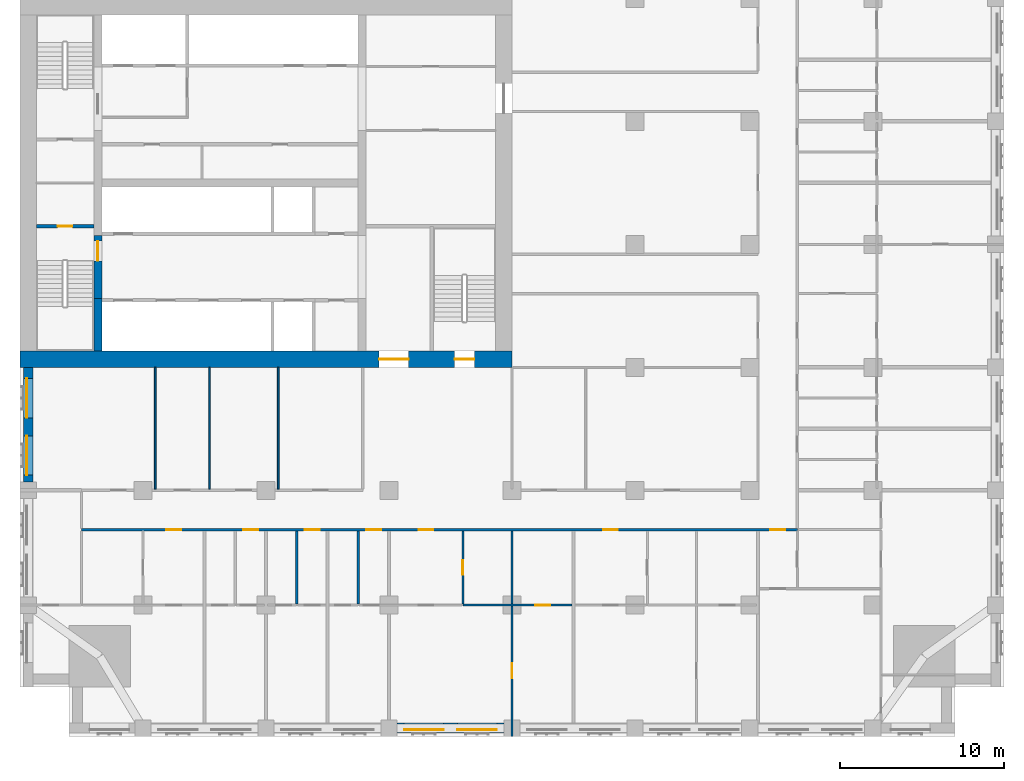
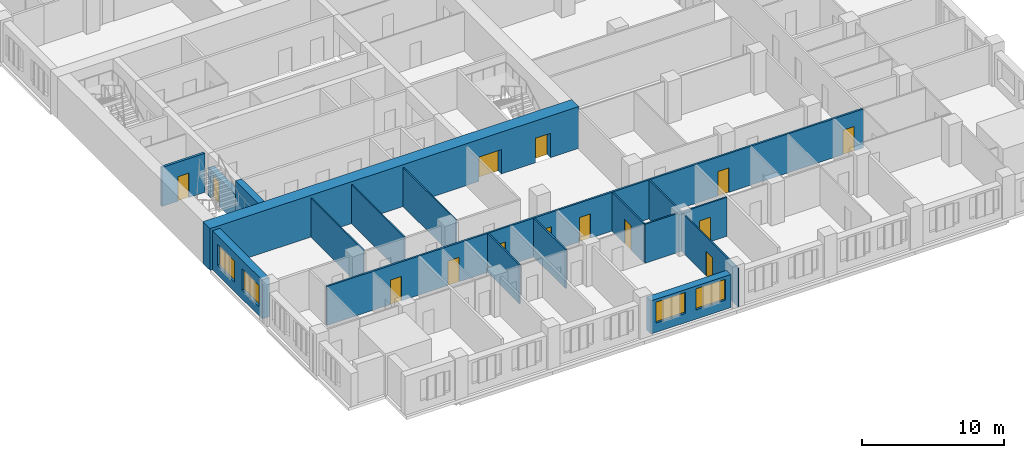
# One storey, part 5 of 15: 16 walls, 14 doors, 4 windows, 18 openings.
"""IFC4 building model written with IfcOpenShell, lengths in metres."""

from ifc_helpers import new_model, si_unit, direction, frame, frame_2d, origin, place, context, subcontext, project, spatial, rectangle, extrude, material, layer, layer_set, type_object, element, fill, save


model = new_model("IFC4")

# Units and contexts
model_context = context("Model", 3, precision=1e-05, world=origin(), true_north=direction((0.0, 1.0)))
body_context = subcontext(model_context, "Body", "Model", "MODEL_VIEW")
ifc_project = project(units=[si_unit("LENGTHUNIT", "METRE"), si_unit("AREAUNIT", "SQUARE_METRE"), si_unit("VOLUMEUNIT", "CUBIC_METRE"), si_unit("PLANEANGLEUNIT", "RADIAN"), si_unit("MASSUNIT", "GRAM", prefix="KILO")], contexts=[model_context])

# Site, building, storey
site_placement = place(None, origin())
site = spatial("IfcSite", under=ifc_project, at=site_placement, CompositionType="ELEMENT")
building_placement = place(site_placement, origin())
building = spatial("IfcBuilding", under=site, at=building_placement, Name="Tamorin Gate", CompositionType="ELEMENT")
storey_placement = place(building_placement, frame((0.0, 0.0, 82.699951171875)))
storey = spatial("IfcBuildingStorey", under=building, at=storey_placement, Name="L19", CompositionType="ELEMENT", Elevation=82.699951171875)

# Wall, openings, windows
ifc_material_1 = material(Name="Precast concrete C40/50", Category="concrete")
ifc_layer_1 = layer(ifc_material_1, 0.60009765625)
ifc_layer_set_1 = layer_set([ifc_layer_1], Name="Precast concrete C40/50")
wall_type_1 = type_object("IfcWallType", Name="Board-marked concrete facade panel 600", PredefinedType="SOLIDWALL", material=ifc_layer_set_1)
wall_1_placement = place(storey_placement, frame((53.0, 38.0, 0.0), z_axis=(0.0, 0.0, 1.0), x_axis=(1.0, 0.0, 0.0)))
wall_1 = element("IfcWall", 1, at=wall_1_placement, inside=storey, type_object=wall_type_1, Name="Facade panel", PredefinedType="SOLIDWALL", context=body_context, shape_type="SweptSolid", body=[
    extrude(rectangle(XDim=6.5, YDim=0.60009765625, at=frame_2d((3.25, 0.0))), origin(), (0.0, 0.0, 1.0), 2.85009765625),
])
opening_1_placement = place(wall_1_placement, frame((0.425048828125, 0.0, 0.800048828125)))
opening_1 = element("IfcOpeningElement", 2, at=opening_1_placement, cuts=wall_1, Name="Opening WN1", PredefinedType="OPENING", context=body_context, shape_type="SweptSolid", body=[
    extrude(rectangle(XDim=2.39990234375, YDim=1.800048828125, at=frame_2d((1.199951171875, 0.89990234375))), frame((0.0, 0.31005859375, 0.0), z_axis=(0.0, -1.0, 0.0), x_axis=(1.0, 0.0, 0.0)), (0.0, 0.0, 1.0), 0.6201171875),
])
opening_2_placement = place(wall_1_placement, frame((3.675048828125, 0.0, 0.800048828125)))
opening_2 = element("IfcOpeningElement", 3, at=opening_2_placement, cuts=wall_1, Name="Opening WN1", PredefinedType="OPENING", context=body_context, shape_type="SweptSolid", body=[
    extrude(rectangle(XDim=2.39990234375, YDim=1.800048828125, at=frame_2d((1.199951171875, 0.89990234375))), frame((0.0, 0.31005859375, 0.0), z_axis=(0.0, -1.0, 0.0), x_axis=(1.0, 0.0, 0.0)), (0.0, 0.0, 1.0), 0.6201171875),
])
ifc_material_2 = material(Name="Clear glass in aluminium frame", Category="aluminium")
window_type = type_object("IfcWindowType", Name="Deep-set window 2400x1800", PartitioningType="SINGLE_PANEL", PredefinedType="WINDOW", material=ifc_material_2)
window_1_placement = place(opening_1_placement, origin())
window_1 = element("IfcWindow", 4, at=window_1_placement, inside=storey, type_object=window_type, Name="Deep-set window", OverallHeight=1.800048828125, OverallWidth=2.39990234375, PartitioningType="SINGLE_PANEL", PredefinedType="WINDOW", context=body_context, shape_type="SweptSolid", body=[
    extrude(rectangle(XDim=2.39990234375, YDim=1.800048828125, at=frame_2d((1.199951171875, 0.89990234375))), frame((0.0, -0.070068359375, 0.0), z_axis=(0.0, -1.0, 0.0), x_axis=(1.0, 0.0, 0.0)), (0.0, 0.0, 1.0), 0.06005859375),
])
fill(opening_1, window_1)
window_2_placement = place(opening_2_placement, origin())
window_2 = element("IfcWindow", 5, at=window_2_placement, inside=storey, type_object=window_type, Name="Deep-set window", OverallHeight=1.800048828125, OverallWidth=2.39990234375, PartitioningType="SINGLE_PANEL", PredefinedType="WINDOW", context=body_context, shape_type="SweptSolid", body=[
    extrude(rectangle(XDim=2.39990234375, YDim=1.800048828125, at=frame_2d((1.199951171875, 0.89990234375))), frame((0.0, -0.070068359375, 0.0), z_axis=(0.0, -1.0, 0.0), x_axis=(1.0, 0.0, 0.0)), (0.0, 0.0, 1.0), 0.06005859375),
])
fill(opening_2, window_2)

wall_2_placement = place(storey_placement, frame((30.5, 60.0, 0.0), z_axis=(0.0, 0.0, 1.0), x_axis=(0.0, -1.0, 0.0)))
wall_2 = element("IfcWall", 6, at=wall_2_placement, inside=storey, type_object=wall_type_1, Name="Facade panel", PredefinedType="SOLIDWALL", context=body_context, shape_type="SweptSolid", body=[
    extrude(rectangle(XDim=7.0, YDim=0.60009765625, at=frame_2d((3.5, 0.0))), origin(), (0.0, 0.0, 1.0), 3.35009765625),
])
opening_3_placement = place(wall_2_placement, frame((4.175048828125, 0.0, 0.800048828125)))
opening_3 = element("IfcOpeningElement", 7, at=opening_3_placement, cuts=wall_2, Name="Opening WN1", PredefinedType="OPENING", context=body_context, shape_type="SweptSolid", body=[
    extrude(rectangle(XDim=2.39990234375, YDim=1.800048828125, at=frame_2d((1.199951171875, 0.89990234375))), frame((0.0, 0.31005859375, 0.0), z_axis=(0.0, -1.0, 0.0), x_axis=(1.0, 0.0, 0.0)), (0.0, 0.0, 1.0), 0.6201171875),
])
opening_4_placement = place(wall_2_placement, frame((0.675048828125, 0.0, 0.800048828125)))
opening_4 = element("IfcOpeningElement", 8, at=opening_4_placement, cuts=wall_2, Name="Opening WN1", PredefinedType="OPENING", context=body_context, shape_type="SweptSolid", body=[
    extrude(rectangle(XDim=2.39990234375, YDim=1.800048828125, at=frame_2d((1.199951171875, 0.89990234375))), frame((0.0, 0.31005859375, 0.0), z_axis=(0.0, -1.0, 0.0), x_axis=(1.0, 0.0, 0.0)), (0.0, 0.0, 1.0), 0.6201171875),
])
window_3_placement = place(opening_3_placement, origin())
window_3 = element("IfcWindow", 9, at=window_3_placement, inside=storey, type_object=window_type, Name="Deep-set window", OverallHeight=1.800048828125, OverallWidth=2.39990234375, PartitioningType="SINGLE_PANEL", PredefinedType="WINDOW", context=body_context, shape_type="SweptSolid", body=[
    extrude(rectangle(XDim=2.39990234375, YDim=1.800048828125, at=frame_2d((1.199951171875, 0.89990234375))), frame((0.0, -0.070068359375, 0.0), z_axis=(0.0, -1.0, 0.0), x_axis=(1.0, 0.0, 0.0)), (0.0, 0.0, 1.0), 0.06005859375),
])
fill(opening_3, window_3)
window_4_placement = place(opening_4_placement, origin())
window_4 = element("IfcWindow", 10, at=window_4_placement, inside=storey, type_object=window_type, Name="Deep-set window", OverallHeight=1.800048828125, OverallWidth=2.39990234375, PartitioningType="SINGLE_PANEL", PredefinedType="WINDOW", context=body_context, shape_type="SweptSolid", body=[
    extrude(rectangle(XDim=2.39990234375, YDim=1.800048828125, at=frame_2d((1.199951171875, 0.89990234375))), frame((0.0, -0.070068359375, 0.0), z_axis=(0.0, -1.0, 0.0), x_axis=(1.0, 0.0, 0.0)), (0.0, 0.0, 1.0), 0.06005859375),
])
fill(opening_4, window_4)

# Wall, openings, doors
ifc_material_3 = material(Name="Gypsum board partition")
ifc_layer_2 = layer(ifc_material_3, 0.14990234375)
ifc_layer_set_2 = layer_set([ifc_layer_2], Name="Corridor wall 150")
wall_type_2 = type_object("IfcWallType", Name="Corridor wall 150", PredefinedType="PARTITIONING", material=ifc_layer_set_2)
wall_3_placement = place(storey_placement, frame((33.75, 50.10009765625, 0.0), z_axis=(0.0, 0.0, 1.0), x_axis=(1.0, 0.0, 0.0)))
wall_3 = element("IfcWall", 11, at=wall_3_placement, inside=storey, type_object=wall_type_2, Name="Corridor wall 150", PredefinedType="PARTITIONING", context=body_context, shape_type="SweptSolid", body=[
    extrude(rectangle(XDim=43.64990234375, YDim=0.14990234375, at=frame_2d((21.824951171875, 0.0))), origin(), (0.0, 0.0, 1.0), 3.35009765625),
])
opening_5_placement = place(wall_3_placement, frame((5.175048828125, 0.0, 0.0)))
opening_5 = element("IfcOpeningElement", 12, at=opening_5_placement, cuts=wall_3, Name="Opening DH6003", PredefinedType="OPENING", context=body_context, shape_type="SweptSolid", body=[
    extrude(rectangle(XDim=0.89990234375, YDim=2.10009765625, at=frame_2d((0.449951171875, 1.050048828125))), frame((0.0, 0.0849609375, 0.0), z_axis=(0.0, -1.0, 0.0), x_axis=(1.0, 0.0, 0.0)), (0.0, 0.0, 1.0), 0.169921875),
])
opening_6_placement = place(wall_3_placement, frame((9.862548828125, 0.0, 0.0)))
opening_6 = element("IfcOpeningElement", 13, at=opening_6_placement, cuts=wall_3, Name="Opening DH6006", PredefinedType="OPENING", context=body_context, shape_type="SweptSolid", body=[
    extrude(rectangle(XDim=0.89990234375, YDim=2.10009765625, at=frame_2d((0.449951171875, 1.050048828125))), frame((0.0, 0.0849609375, 0.0), z_axis=(0.0, -1.0, 0.0), x_axis=(1.0, 0.0, 0.0)), (0.0, 0.0, 1.0), 0.169921875),
])
opening_7_placement = place(wall_3_placement, frame((13.612548828125, 0.0, 0.0)))
opening_7 = element("IfcOpeningElement", 14, at=opening_7_placement, cuts=wall_3, Name="Opening DH6009", PredefinedType="OPENING", context=body_context, shape_type="SweptSolid", body=[
    extrude(rectangle(XDim=0.89990234375, YDim=2.10009765625, at=frame_2d((0.449951171875, 1.050048828125))), frame((0.0, 0.0849609375, 0.0), z_axis=(0.0, -1.0, 0.0), x_axis=(1.0, 0.0, 0.0)), (0.0, 0.0, 1.0), 0.169921875),
])
opening_8_placement = place(wall_3_placement, frame((17.362548828125, 0.0, 0.0)))
opening_8 = element("IfcOpeningElement", 15, at=opening_8_placement, cuts=wall_3, Name="Opening DH6012", PredefinedType="OPENING", context=body_context, shape_type="SweptSolid", body=[
    extrude(rectangle(XDim=0.89990234375, YDim=2.10009765625, at=frame_2d((0.449951171875, 1.050048828125))), frame((0.0, 0.0849609375, 0.0), z_axis=(0.0, -1.0, 0.0), x_axis=(1.0, 0.0, 0.0)), (0.0, 0.0, 1.0), 0.169921875),
])
opening_9_placement = place(wall_3_placement, frame((20.550048828125, 0.0, 0.0)))
opening_9 = element("IfcOpeningElement", 16, at=opening_9_placement, cuts=wall_3, Name="Opening DH6014", PredefinedType="OPENING", context=body_context, shape_type="SweptSolid", body=[
    extrude(rectangle(XDim=0.89990234375, YDim=2.10009765625, at=frame_2d((0.449951171875, 1.050048828125))), frame((0.0, 0.0849609375, 0.0), z_axis=(0.0, -1.0, 0.0), x_axis=(1.0, 0.0, 0.0)), (0.0, 0.0, 1.0), 0.169921875),
])
opening_10_placement = place(wall_3_placement, frame((31.800048828125, 0.0, 0.0)))
opening_10 = element("IfcOpeningElement", 17, at=opening_10_placement, cuts=wall_3, Name="Opening DH6019", PredefinedType="OPENING", context=body_context, shape_type="SweptSolid", body=[
    extrude(rectangle(XDim=0.89990234375, YDim=2.10009765625, at=frame_2d((0.449951171875, 1.050048828125))), frame((0.0, 0.0849609375, 0.0), z_axis=(0.0, -1.0, 0.0), x_axis=(1.0, 0.0, 0.0)), (0.0, 0.0, 1.0), 0.169921875),
])
opening_11_placement = place(wall_3_placement, frame((42.0, 0.0, 0.0)))
opening_11 = element("IfcOpeningElement", 18, at=opening_11_placement, cuts=wall_3, Name="Opening DH6074", PredefinedType="OPENING", context=body_context, shape_type="SweptSolid", body=[
    extrude(rectangle(XDim=0.89990234375, YDim=2.10009765625, at=frame_2d((0.449951171875, 1.050048828125))), frame((0.0, 0.0849609375, 0.0), z_axis=(0.0, -1.0, 0.0), x_axis=(1.0, 0.0, 0.0)), (0.0, 0.0, 1.0), 0.169921875),
])
ifc_material_4 = material(Name="Timber door leaf", Category="wood")
door_type_1 = type_object("IfcDoorType", Name="Door 900 x 2100 FD30S", OperationType="NOTDEFINED", PredefinedType="DOOR", material=ifc_material_4)
door_1_placement = place(opening_5_placement, origin())
door_1 = element("IfcDoor", 19, at=door_1_placement, inside=storey, type_object=door_type_1, Name="Door DH6003", OperationType="SINGLE_SWING_RIGHT", OverallHeight=2.10009765625, OverallWidth=0.89990234375, PredefinedType="DOOR", context=body_context, shape_type="SweptSolid", body=[
    extrude(rectangle(XDim=0.89990234375, YDim=2.10009765625, at=frame_2d((0.449951171875, 1.050048828125))), frame((0.0, 0.02490234375, 0.0), z_axis=(0.0, -1.0, 0.0), x_axis=(1.0, 0.0, 0.0)), (0.0, 0.0, 1.0), 0.050048828125),
])
fill(opening_5, door_1)
door_2_placement = place(opening_6_placement, origin())
door_2 = element("IfcDoor", 20, at=door_2_placement, inside=storey, type_object=door_type_1, Name="Door DH6006", OperationType="SINGLE_SWING_RIGHT", OverallHeight=2.10009765625, OverallWidth=0.89990234375, PredefinedType="DOOR", context=body_context, shape_type="SweptSolid", body=[
    extrude(rectangle(XDim=0.89990234375, YDim=2.10009765625, at=frame_2d((0.449951171875, 1.050048828125))), frame((0.0, 0.02490234375, 0.0), z_axis=(0.0, -1.0, 0.0), x_axis=(1.0, 0.0, 0.0)), (0.0, 0.0, 1.0), 0.050048828125),
])
fill(opening_6, door_2)
door_3_placement = place(opening_7_placement, origin())
door_3 = element("IfcDoor", 21, at=door_3_placement, inside=storey, type_object=door_type_1, Name="Door DH6009", OperationType="SINGLE_SWING_RIGHT", OverallHeight=2.10009765625, OverallWidth=0.89990234375, PredefinedType="DOOR", context=body_context, shape_type="SweptSolid", body=[
    extrude(rectangle(XDim=0.89990234375, YDim=2.10009765625, at=frame_2d((0.449951171875, 1.050048828125))), frame((0.0, 0.02490234375, 0.0), z_axis=(0.0, -1.0, 0.0), x_axis=(1.0, 0.0, 0.0)), (0.0, 0.0, 1.0), 0.050048828125),
])
fill(opening_7, door_3)
door_4_placement = place(opening_8_placement, origin())
door_4 = element("IfcDoor", 22, at=door_4_placement, inside=storey, type_object=door_type_1, Name="Door DH6012", OperationType="SINGLE_SWING_RIGHT", OverallHeight=2.10009765625, OverallWidth=0.89990234375, PredefinedType="DOOR", context=body_context, shape_type="SweptSolid", body=[
    extrude(rectangle(XDim=0.89990234375, YDim=2.10009765625, at=frame_2d((0.449951171875, 1.050048828125))), frame((0.0, 0.02490234375, 0.0), z_axis=(0.0, -1.0, 0.0), x_axis=(1.0, 0.0, 0.0)), (0.0, 0.0, 1.0), 0.050048828125),
])
fill(opening_8, door_4)
door_5_placement = place(opening_9_placement, origin())
door_5 = element("IfcDoor", 23, at=door_5_placement, inside=storey, type_object=door_type_1, Name="Door DH6014", OperationType="SINGLE_SWING_RIGHT", OverallHeight=2.10009765625, OverallWidth=0.89990234375, PredefinedType="DOOR", context=body_context, shape_type="SweptSolid", body=[
    extrude(rectangle(XDim=0.89990234375, YDim=2.10009765625, at=frame_2d((0.449951171875, 1.050048828125))), frame((0.0, 0.02490234375, 0.0), z_axis=(0.0, -1.0, 0.0), x_axis=(1.0, 0.0, 0.0)), (0.0, 0.0, 1.0), 0.050048828125),
])
fill(opening_9, door_5)
door_6_placement = place(opening_10_placement, origin())
door_6 = element("IfcDoor", 24, at=door_6_placement, inside=storey, type_object=door_type_1, Name="Door DH6019", OperationType="SINGLE_SWING_RIGHT", OverallHeight=2.10009765625, OverallWidth=0.89990234375, PredefinedType="DOOR", context=body_context, shape_type="SweptSolid", body=[
    extrude(rectangle(XDim=0.89990234375, YDim=2.10009765625, at=frame_2d((0.449951171875, 1.050048828125))), frame((0.0, 0.02490234375, 0.0), z_axis=(0.0, -1.0, 0.0), x_axis=(1.0, 0.0, 0.0)), (0.0, 0.0, 1.0), 0.050048828125),
])
fill(opening_10, door_6)
door_7_placement = place(opening_11_placement, origin())
door_7 = element("IfcDoor", 25, at=door_7_placement, inside=storey, type_object=door_type_1, Name="Door DH6074", OperationType="SINGLE_SWING_LEFT", OverallHeight=2.10009765625, OverallWidth=0.89990234375, PredefinedType="DOOR", context=body_context, shape_type="SweptSolid", body=[
    extrude(rectangle(XDim=0.89990234375, YDim=2.10009765625, at=frame_2d((0.449951171875, 1.050048828125))), frame((0.0, 0.02490234375, 0.0), z_axis=(0.0, -1.0, 0.0), x_axis=(1.0, 0.0, 0.0)), (0.0, 0.0, 1.0), 0.050048828125),
])
fill(opening_11, door_7)

# Wall
ifc_material_5 = material(Name="Concrete C80/95", Category="concrete")
ifc_layer_3 = layer(ifc_material_5, 0.5)
ifc_layer_set_3 = layer_set([ifc_layer_3], Name="RC core internal wall 500 C80/95")
wall_type_3 = type_object("IfcWallType", Name="RC core internal wall 500 C80/95", PredefinedType="SHEAR", material=ifc_layer_set_3)
wall_4_placement = place(storey_placement, frame((34.75, 61.0, 0.0), z_axis=(0.0, 0.0, 1.0), x_axis=(0.0, 1.0, 0.0)))
element("IfcWall", 26, at=wall_4_placement, inside=storey, type_object=wall_type_3, Name="Core cross wall L19", PredefinedType="SHEAR", context=body_context, shape_type="SweptSolid", body=[
    extrude(rectangle(XDim=3.199951171875, YDim=0.5, at=frame_2d((1.60009765625, 0.0))), origin(), (0.0, 0.0, 1.0), 3.60009765625),
])

# Wall, openings, doors
ifc_layer_4 = layer(ifc_material_5, 1.0)
ifc_layer_set_4 = layer_set([ifc_layer_4], Name="RC core wall 1000 C80/95")
wall_type_4 = type_object("IfcWallType", Name="RC core wall 1000 C80/95", PredefinedType="SHEAR", material=ifc_layer_set_4)
wall_5_placement = place(storey_placement, frame((30.0, 60.5, 0.0), z_axis=(0.0, 0.0, 1.0), x_axis=(1.0, 0.0, 0.0)))
wall_5 = element("IfcWall", 27, at=wall_5_placement, inside=storey, type_object=wall_type_4, Name="Core wall L19", PredefinedType="SHEAR", context=body_context, shape_type="SweptSolid", body=[
    extrude(rectangle(XDim=30.0, YDim=1.0, at=frame_2d((15.0, 0.0))), origin(), (0.0, 0.0, 1.0), 3.60009765625),
])
opening_12_placement = place(wall_5_placement, frame((21.89990234375, 0.0, 0.0)))
opening_12 = element("IfcOpeningElement", 28, at=opening_12_placement, cuts=wall_5, Name="Opening DE1", PredefinedType="OPENING", context=body_context, shape_type="SweptSolid", body=[
    extrude(rectangle(XDim=1.800048828125, YDim=2.10009765625, at=frame_2d((0.89990234375, 1.050048828125))), frame((0.0, 0.510009765625, 0.0), z_axis=(0.0, -1.0, 0.0), x_axis=(1.0, 0.0, 0.0)), (0.0, 0.0, 1.0), 1.02001953125),
])
opening_13_placement = place(wall_5_placement, frame((26.5, 0.0, 0.0)))
opening_13 = element("IfcOpeningElement", 29, at=opening_13_placement, cuts=wall_5, Name="Opening DS1", PredefinedType="OPENING", context=body_context, shape_type="SweptSolid", body=[
    extrude(rectangle(XDim=1.199951171875, YDim=2.10009765625, at=frame_2d((0.60009765625, 1.050048828125))), frame((0.0, 0.510009765625, 0.0), z_axis=(0.0, -1.0, 0.0), x_axis=(1.0, 0.0, 0.0)), (0.0, 0.0, 1.0), 1.02001953125),
])
ifc_material_6 = material(Name="Steel fire door", Category="steel")
door_type_2 = type_object("IfcDoorType", Name="Lobby exit double door 1800 x 2100 EI 60", OperationType="DOUBLE_DOOR_SINGLE_SWING", PredefinedType="DOOR", material=ifc_material_6)
door_8_placement = place(opening_12_placement, origin())
door_8 = element("IfcDoor", 30, at=door_8_placement, inside=storey, type_object=door_type_2, Name="Lift lobby A exit door", OperationType="DOUBLE_DOOR_SINGLE_SWING", OverallHeight=2.10009765625, OverallWidth=1.800048828125, PredefinedType="DOOR", context=body_context, shape_type="SweptSolid", body=[
    extrude(rectangle(XDim=1.800048828125, YDim=2.10009765625, at=frame_2d((0.89990234375, 1.050048828125))), frame((0.0, 0.02490234375, 0.0), z_axis=(0.0, -1.0, 0.0), x_axis=(1.0, 0.0, 0.0)), (0.0, 0.0, 1.0), 0.050048828125),
])
fill(opening_12, door_8)
door_type_3 = type_object("IfcDoorType", Name="Stair door 1200 x 2100 EI 90", OperationType="SINGLE_SWING_LEFT", PredefinedType="DOOR", material=ifc_material_6)
door_9_placement = place(opening_13_placement, origin())
door_9 = element("IfcDoor", 31, at=door_9_placement, inside=storey, type_object=door_type_3, Name="ST3 door", OperationType="SINGLE_SWING_LEFT", OverallHeight=2.10009765625, OverallWidth=1.199951171875, PredefinedType="DOOR", context=body_context, shape_type="SweptSolid", body=[
    extrude(rectangle(XDim=1.199951171875, YDim=2.10009765625, at=frame_2d((0.60009765625, 1.050048828125))), frame((0.0, 0.02490234375, 0.0), z_axis=(0.0, -1.0, 0.0), x_axis=(1.0, 0.0, 0.0)), (0.0, 0.0, 1.0), 0.050048828125),
])
fill(opening_13, door_9)

# Walls
ifc_layer_5 = layer(ifc_material_3, 0.10009765625)
ifc_layer_set_5 = layer_set([ifc_layer_5], Name="Room partition 100")
wall_type_5 = type_object("IfcWallType", Name="Room partition 100", PredefinedType="PARTITIONING", material=ifc_layer_set_5)
for number, where, z_axis, x_axis, name in (
    (32, (38.25, 52.574951171875, 0.0), (0.0, 0.0, 1.0), (0.0, 1.0, 0.0), "Room partition 100"),
    (33, (41.550048828125, 52.574951171875, 0.0), (0.0, 0.0, 1.0), (0.0, 1.0, 0.0), "Room partition 100"),
    (34, (45.75, 52.574951171875, 0.0), (0.0, 0.0, 1.0), (0.0, 1.0, 0.0), "Room partition 100"),
):
    element("IfcWall", number, at=place(storey_placement, frame(where, z_axis=z_axis, x_axis=x_axis)), inside=storey, type_object=wall_type_5, Name=name, PredefinedType="PARTITIONING", context=body_context, shape_type="SweptSolid", body=[
        extrude(rectangle(XDim=7.425048828125, YDim=0.10009765625, at=frame_2d((3.71240234375, 0.0))), origin(), (0.0, 0.0, 1.0), 3.35009765625),
    ])

# Wall, opening, door
wall_6_placement = place(storey_placement, frame((60.0, 37.5, 0.0), z_axis=(0.0, 0.0, 1.0), x_axis=(0.0, 1.0, 0.0)))
wall_6 = element("IfcWall", 35, at=wall_6_placement, inside=storey, type_object=wall_type_5, Name="Room partition 100", PredefinedType="PARTITIONING", context=body_context, shape_type="SweptSolid", body=[
    extrude(rectangle(XDim=7.9375, YDim=0.10009765625, at=frame_2d((3.96875, 0.0))), origin(), (0.0, 0.0, 1.0), 3.35009765625),
])
opening_14_placement = place(wall_6_placement, frame((3.550048828125, 0.0, 0.0)))
opening_14 = element("IfcOpeningElement", 36, at=opening_14_placement, cuts=wall_6, Name="Opening DH6018", PredefinedType="OPENING", context=body_context, shape_type="SweptSolid", body=[
    extrude(rectangle(XDim=0.89990234375, YDim=2.10009765625, at=frame_2d((0.449951171875, 1.050048828125))), frame((0.0, 0.06005859375, 0.0), z_axis=(0.0, -1.0, 0.0), x_axis=(1.0, 0.0, 0.0)), (0.0, 0.0, 1.0), 0.1201171875),
])
door_type_4 = type_object("IfcDoorType", Name="Door 900 x 2100", OperationType="NOTDEFINED", PredefinedType="DOOR", material=ifc_material_4)
door_10_placement = place(opening_14_placement, origin())
door_10 = element("IfcDoor", 37, at=door_10_placement, inside=storey, type_object=door_type_4, Name="Door DH6018", OperationType="SINGLE_SWING_LEFT", OverallHeight=2.10009765625, OverallWidth=0.89990234375, PredefinedType="DOOR", context=body_context, shape_type="SweptSolid", body=[
    extrude(rectangle(XDim=0.89990234375, YDim=2.10009765625, at=frame_2d((0.449951171875, 1.050048828125))), frame((0.0, 0.02490234375, 0.0), z_axis=(0.0, -1.0, 0.0), x_axis=(1.0, 0.0, 0.0)), (0.0, 0.0, 1.0), 0.050048828125),
])
fill(opening_14, door_10)

ifc_material_7 = material(Name="Concrete C40/50", Category="concrete")
ifc_layer_6 = layer(ifc_material_7, 0.199951171875)
ifc_layer_set_6 = layer_set([ifc_layer_6], Name="Stair enclosure wall 200 EI 120 C40/50")
wall_type_6 = type_object("IfcWallType", Name="Stair enclosure wall 200 EI 120 C40/50", PredefinedType="SOLIDWALL", material=ifc_layer_set_6)
wall_7_placement = place(storey_placement, frame((31.0, 68.60009765625, 0.0), z_axis=(0.0, 0.0, 1.0), x_axis=(1.0, 0.0, 0.0)))
wall_7 = element("IfcWall", 38, at=wall_7_placement, inside=storey, type_object=wall_type_6, Name="Stair enclosure wall", PredefinedType="SOLIDWALL", context=body_context, shape_type="SweptSolid", body=[
    extrude(rectangle(XDim=3.5, YDim=0.199951171875, at=frame_2d((1.75, 0.0))), origin(), (0.0, 0.0, 1.0), 3.35009765625),
])
opening_15_placement = place(wall_7_placement, frame((1.300048828125, 0.0, 0.0)))
opening_15 = element("IfcOpeningElement", 39, at=opening_15_placement, cuts=wall_7, Name="Opening DR1", PredefinedType="OPENING", context=body_context, shape_type="SweptSolid", body=[
    extrude(rectangle(XDim=0.89990234375, YDim=2.10009765625, at=frame_2d((0.449951171875, 1.050048828125))), frame((0.0, 0.10986328125, 0.0), z_axis=(0.0, -1.0, 0.0), x_axis=(1.0, 0.0, 0.0)), (0.0, 0.0, 1.0), 0.219970703125),
])
door_type_5 = type_object("IfcDoorType", Name="Riser access door 900 x 2100 EI 120", OperationType="SINGLE_SWING_LEFT", PredefinedType="DOOR", material=ifc_material_6)
door_11_placement = place(opening_15_placement, origin())
door_11 = element("IfcDoor", 40, at=door_11_placement, inside=storey, type_object=door_type_5, Name="Electrical riser door", OperationType="SINGLE_SWING_LEFT", OverallHeight=2.10009765625, OverallWidth=0.89990234375, PredefinedType="DOOR", context=body_context, shape_type="SweptSolid", body=[
    extrude(rectangle(XDim=0.89990234375, YDim=2.10009765625, at=frame_2d((0.449951171875, 1.050048828125))), frame((0.0, 0.02490234375, 0.0), z_axis=(0.0, -1.0, 0.0), x_axis=(1.0, 0.0, 0.0)), (0.0, 0.0, 1.0), 0.050048828125),
])
fill(opening_15, door_11)

ifc_material_8 = material(Name="Concrete C32/40", Category="concrete")
ifc_layer_7 = layer(ifc_material_8, 0.5)
ifc_layer_set_7 = layer_set([ifc_layer_7], Name="Stair lobby infill wall 500 EI 120")
wall_type_7 = type_object("IfcWallType", Name="Stair lobby infill wall 500 EI 120", PredefinedType="SOLIDWALL", material=ifc_layer_set_7)
wall_8_placement = place(storey_placement, frame((34.75, 64.199951171875, 0.0), z_axis=(0.0, 0.0, 1.0), x_axis=(0.0, 1.0, 0.0)))
wall_8 = element("IfcWall", 41, at=wall_8_placement, inside=storey, type_object=wall_type_7, Name="Stair lobby infill wall", PredefinedType="SOLIDWALL", context=body_context, shape_type="SweptSolid", body=[
    extrude(rectangle(XDim=3.85009765625, YDim=0.5, at=frame_2d((1.925048828125, 0.0))), origin(), (0.0, 0.0, 1.0), 2.400146484375),
])
opening_16_placement = place(wall_8_placement, frame((2.300048828125, 0.0, 0.0)))
opening_16 = element("IfcOpeningElement", 42, at=opening_16_placement, cuts=wall_8, Name="Opening DS1", PredefinedType="OPENING", context=body_context, shape_type="SweptSolid", body=[
    extrude(rectangle(XDim=1.199951171875, YDim=2.10009765625, at=frame_2d((0.60009765625, 1.050048828125))), frame((0.0, 0.260009765625, 0.0), z_axis=(0.0, -1.0, 0.0), x_axis=(1.0, 0.0, 0.0)), (0.0, 0.0, 1.0), 0.52001953125),
])
door_12_placement = place(opening_16_placement, origin())
door_12 = element("IfcDoor", 43, at=door_12_placement, inside=storey, type_object=door_type_3, Name="ST1 door", OperationType="SINGLE_SWING_LEFT", OverallHeight=2.10009765625, OverallWidth=1.199951171875, PredefinedType="DOOR", context=body_context, shape_type="SweptSolid", body=[
    extrude(rectangle(XDim=1.199951171875, YDim=2.10009765625, at=frame_2d((0.60009765625, 1.050048828125))), frame((0.0, 0.02490234375, 0.0), z_axis=(0.0, -1.0, 0.0), x_axis=(1.0, 0.0, 0.0)), (0.0, 0.0, 1.0), 0.050048828125),
])
fill(opening_16, door_12)

ifc_layer_8 = layer(ifc_material_3, 0.125)
ifc_layer_set_8 = layer_set([ifc_layer_8], Name="Wet wall 125")
wall_type_8 = type_object("IfcWallType", Name="Wet wall 125", PredefinedType="PARTITIONING", material=ifc_layer_set_8)
wall_9_placement = place(storey_placement, frame((57.0, 45.5, 0.0), z_axis=(0.0, 0.0, 1.0), x_axis=(1.0, 0.0, 0.0)))
wall_9 = element("IfcWall", 44, at=wall_9_placement, inside=storey, type_object=wall_type_8, Name="Wet wall 125", PredefinedType="PARTITIONING", context=body_context, shape_type="SweptSolid", body=[
    extrude(rectangle(XDim=6.64990234375, YDim=0.125, at=frame_2d((3.324951171875, 0.0))), origin(), (0.0, 0.0, 1.0), 3.35009765625),
])
opening_17_placement = place(wall_9_placement, frame((4.425048828125, 0.0, 0.0)))
opening_17 = element("IfcOpeningElement", 45, at=opening_17_placement, cuts=wall_9, Name="Opening DH6017", PredefinedType="OPENING", context=body_context, shape_type="SweptSolid", body=[
    extrude(rectangle(XDim=0.89990234375, YDim=2.10009765625, at=frame_2d((0.449951171875, 1.050048828125))), frame((0.0, 0.072509765625, 0.0), z_axis=(0.0, -1.0, 0.0), x_axis=(1.0, 0.0, 0.0)), (0.0, 0.0, 1.0), 0.14501953125),
])
door_13_placement = place(opening_17_placement, origin())
door_13 = element("IfcDoor", 46, at=door_13_placement, inside=storey, type_object=door_type_4, Name="Door DH6017", OperationType="SINGLE_SWING_LEFT", OverallHeight=2.10009765625, OverallWidth=0.89990234375, PredefinedType="DOOR", context=body_context, shape_type="SweptSolid", body=[
    extrude(rectangle(XDim=0.89990234375, YDim=2.10009765625, at=frame_2d((0.449951171875, 1.050048828125))), frame((0.0, 0.02490234375, 0.0), z_axis=(0.0, -1.0, 0.0), x_axis=(1.0, 0.0, 0.0)), (0.0, 0.0, 1.0), 0.050048828125),
])
fill(opening_17, door_13)

# Walls
for number, where, z_axis, x_axis, name in (
    (47, (46.875, 45.5625, 0.0), (0.0, 0.0, 1.0), (0.0, 1.0, 0.0), "Wet wall 125"),
    (48, (50.625, 45.5625, 0.0), (0.0, 0.0, 1.0), (0.0, 1.0, 0.0), "Wet wall 125"),
):
    element("IfcWall", number, at=place(storey_placement, frame(where, z_axis=z_axis, x_axis=x_axis)), inside=storey, type_object=wall_type_8, Name=name, PredefinedType="PARTITIONING", context=body_context, shape_type="SweptSolid", body=[
        extrude(rectangle(XDim=4.46240234375, YDim=0.125, at=frame_2d((2.231201171875, 0.0))), origin(), (0.0, 0.0, 1.0), 3.35009765625),
    ])

# Wall, opening, door
wall_10_placement = place(storey_placement, frame((57.0, 45.5625, 0.0), z_axis=(0.0, 0.0, 1.0), x_axis=(0.0, 1.0, 0.0)))
wall_10 = element("IfcWall", 49, at=wall_10_placement, inside=storey, type_object=wall_type_8, Name="Wet wall 125", PredefinedType="PARTITIONING", context=body_context, shape_type="SweptSolid", body=[
    extrude(rectangle(XDim=4.46240234375, YDim=0.125, at=frame_2d((2.231201171875, 0.0))), origin(), (0.0, 0.0, 1.0), 3.35009765625),
])
opening_18_placement = place(wall_10_placement, frame((1.78759765625, 0.0, 0.0)))
opening_18 = element("IfcOpeningElement", 50, at=opening_18_placement, cuts=wall_10, Name="Opening DH6016", PredefinedType="OPENING", context=body_context, shape_type="SweptSolid", body=[
    extrude(rectangle(XDim=0.89990234375, YDim=2.10009765625, at=frame_2d((0.449951171875, 1.050048828125))), frame((0.0, 0.072509765625, 0.0), z_axis=(0.0, -1.0, 0.0), x_axis=(1.0, 0.0, 0.0)), (0.0, 0.0, 1.0), 0.14501953125),
])
door_14_placement = place(opening_18_placement, origin())
door_14 = element("IfcDoor", 51, at=door_14_placement, inside=storey, type_object=door_type_4, Name="Door DH6016", OperationType="SINGLE_SWING_LEFT", OverallHeight=2.10009765625, OverallWidth=0.89990234375, PredefinedType="DOOR", context=body_context, shape_type="SweptSolid", body=[
    extrude(rectangle(XDim=0.89990234375, YDim=2.10009765625, at=frame_2d((0.449951171875, 1.050048828125))), frame((0.0, 0.02490234375, 0.0), z_axis=(0.0, -1.0, 0.0), x_axis=(1.0, 0.0, 0.0)), (0.0, 0.0, 1.0), 0.050048828125),
])
fill(opening_18, door_14)

# Wall
wall_11_placement = place(storey_placement, frame((60.0, 45.5625, 0.0), z_axis=(0.0, 0.0, 1.0), x_axis=(0.0, 1.0, 0.0)))
element("IfcWall", 52, at=wall_11_placement, inside=storey, type_object=wall_type_8, Name="Wet wall 125", PredefinedType="PARTITIONING", context=body_context, shape_type="SweptSolid", body=[
    extrude(rectangle(XDim=4.46240234375, YDim=0.125, at=frame_2d((2.231201171875, 0.0))), origin(), (0.0, 0.0, 1.0), 3.35009765625),
])

save(model, "model.ifc")
